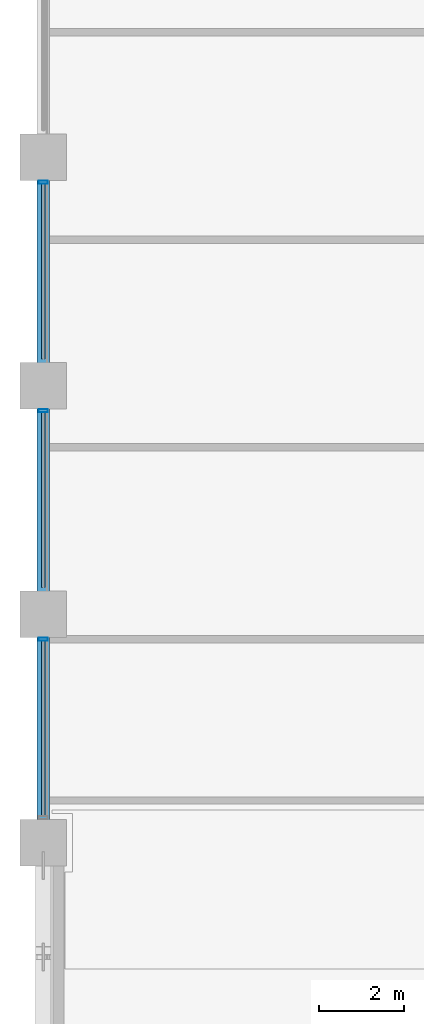
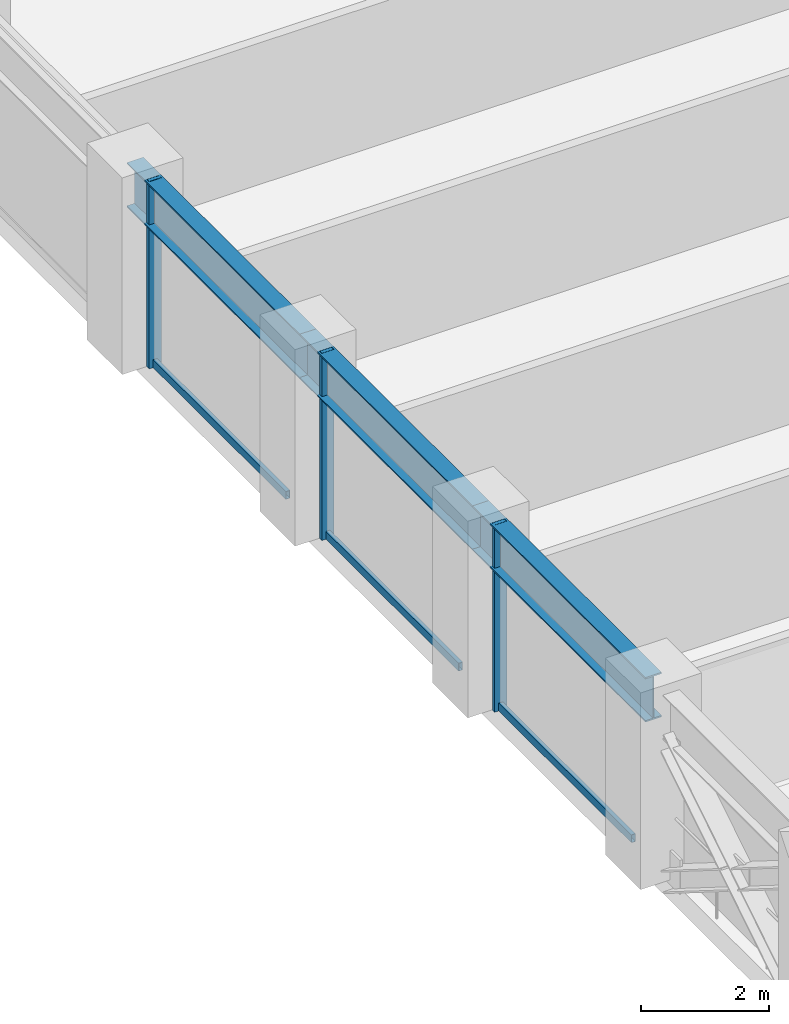
# One storey, part 7 of 30: 6 members, 3 beams, 1 element without a shape of its own.
"""IFC4 building model written with IfcOpenShell, lengths in metres."""

from ifc_helpers import new_model, si_unit, direction, frame, origin, origin_2d, place, context, subcontext, project, spatial, hollow_rectangle, i_section, extrude, material, layer, layer_set, material_profile, profile_set, type_object, element, aggregate, save


model = new_model("IFC4")

# Units and contexts
model_context = context("Model", 3, precision=1e-05, world=origin(), true_north=direction((0.0, 1.0)))
body_context = subcontext(model_context, "Body", "Model", "MODEL_VIEW")
ifc_project = project(units=[si_unit("LENGTHUNIT", "METRE"), si_unit("AREAUNIT", "SQUARE_METRE"), si_unit("VOLUMEUNIT", "CUBIC_METRE"), si_unit("PLANEANGLEUNIT", "RADIAN"), si_unit("MASSUNIT", "GRAM", prefix="KILO")], contexts=[model_context])

# Site, building, storey
site_placement = place(None, origin())
site = spatial("IfcSite", under=ifc_project, at=site_placement, CompositionType="ELEMENT")
building_placement = place(site_placement, origin())
building = spatial("IfcBuilding", under=site, at=building_placement, Name="Surkhivell Harbour Commons", CompositionType="ELEMENT")
storey_placement = place(building_placement, frame((0.0, 0.0, 83.25)))
storey = spatial("IfcBuildingStorey", under=building, at=storey_placement, Name="L21", CompositionType="ELEMENT", Elevation=83.25)

# Beams
ifc_material_1 = material(Name="Steel S460", Category="steel")
ifc_material_profile_1 = material_profile(ifc_material_1, i_section(OverallWidth=0.2939453125, OverallDepth=0.85107421875, WebThickness=0.01611328125, FlangeThickness=0.02685546875, at=origin_2d()), Name="UB838x292x226")
ifc_profile_set_1 = profile_set([ifc_material_profile_1], Name="Steel S460")
beam_type = type_object("IfcBeamType", Name="BM-SPN-838", PredefinedType="SPANDREL", material=ifc_profile_set_1)
beam_placement = place(storey_placement, frame((-32.39990234375, -10.800048828125, 3.14453125), z_axis=(0.0, 1.0, 0.0), x_axis=(-1.0, 0.0, 0.0)))
element("IfcBeam", 1, at=beam_placement, inside=storey, type_object=beam_type, Name="L21 Tube Spandrel (-32.4,-10.8)", PredefinedType="SPANDREL", context=body_context, shape_type="SweptSolid", body=[
    extrude(i_section(OverallWidth=0.2939453125, OverallDepth=0.85107421875, WebThickness=0.01611328125, FlangeThickness=0.02685546875, at=origin_2d()), origin(), (0.0, 0.0, 1.0), 5.400146484375),
])
for number, where, z_axis, x_axis, name in (
    (2, (-32.39990234375, -5.39990234375, 3.14453125), (0.0, 1.0, 0.0), (-1.0, 0.0, 0.0), "L21 Tube Spandrel (-32.4,-5.4)"),
    (3, (-32.39990234375, 0.0, 3.14453125), (0.0, 1.0, 0.0), (-1.0, 0.0, 0.0), "L21 Tube Spandrel (-32.4,0.0)"),
):
    element("IfcBeam", number, at=place(storey_placement, frame(where, z_axis=z_axis, x_axis=x_axis)), inside=storey, type_object=beam_type, Name=name, PredefinedType="SPANDREL", context=body_context, shape_type="SweptSolid", body=[
        extrude(i_section(OverallWidth=0.2939453125, OverallDepth=0.85107421875, WebThickness=0.01611328125, FlangeThickness=0.02685546875, at=origin_2d()), origin(), (0.0, 0.0, 1.0), 5.39990234375),
    ])

# Curtain wall, members
ifc_material_2 = material(Name="Anodised pale-metal aluminium and insulated glazing", Category="aluminium")
ifc_layer = layer(ifc_material_2, 0.205078125)
ifc_layer_set = layer_set([ifc_layer], Name="Anodised pale-metal aluminium and insulated glazing")
curtain_wall_type = type_object("IfcCurtainWallType", Name="CW-SYS-Z2", PredefinedType="NOTDEFINED", material=ifc_layer_set)
curtain_wall_placement = place(storey_placement, origin())
curtain_wall = element("IfcCurtainWall", 4, at=curtain_wall_placement, inside=storey, type_object=curtain_wall_type, Name="L21 Curtain Wall CW-L21-E12S1", PredefinedType="NOTDEFINED")
ifc_material_3 = material(Name="Anodised pale-metal aluminium alloy 6063-T6", Category="aluminium")
ifc_material_profile_2 = material_profile(ifc_material_3, hollow_rectangle(XDim=0.074951171875, YDim=0.219970703125, WallThickness=0.00390625, at=origin_2d()), Name="ALU-MULL-75x220")
ifc_profile_set_2 = profile_set([ifc_material_profile_2], Name="Anodised pale-metal aluminium alloy 6063-T6")
member_type_1 = type_object("IfcMemberType", Name="CWM-220", PredefinedType="MULLION", material=ifc_profile_set_2)
member_1_placement = place(storey_placement, frame((-32.39990234375, 4.810546875, 0.0), z_axis=(0.0, 0.0, 1.0), x_axis=(0.0, -1.0, 0.0)))
member_1 = element("IfcMember", 5, at=member_1_placement, type_object=member_type_1, Name="CW-Z2 mullion 4", PredefinedType="MULLION", context=body_context, shape_type="SweptSolid", body=[
    extrude(hollow_rectangle(XDim=0.074951171875, YDim=0.219970703125, WallThickness=0.00390625, at=origin_2d()), origin(), (0.0, 0.0, 1.0), 3.570068359375),
])
member_2_placement = place(storey_placement, frame((-32.39990234375, -0.589599609375, 0.0), z_axis=(0.0, 0.0, 1.0), x_axis=(0.0, -1.0, 0.0)))
member_2 = element("IfcMember", 6, at=member_2_placement, type_object=member_type_1, Name="CW-Z2 mullion 5", PredefinedType="MULLION", context=body_context, shape_type="SweptSolid", body=[
    extrude(hollow_rectangle(XDim=0.074951171875, YDim=0.219970703125, WallThickness=0.00390625, at=origin_2d()), origin(), (0.0, 0.0, 1.0), 3.570068359375),
])
member_3_placement = place(storey_placement, frame((-32.39990234375, -5.989501953125, 0.0), z_axis=(0.0, 0.0, 1.0), x_axis=(0.0, -1.0, 0.0)))
member_3 = element("IfcMember", 7, at=member_3_placement, type_object=member_type_1, Name="CW-Z2 mullion 6", PredefinedType="MULLION", context=body_context, shape_type="SweptSolid", body=[
    extrude(hollow_rectangle(XDim=0.074951171875, YDim=0.219970703125, WallThickness=0.00390625, at=origin_2d()), origin(), (0.0, 0.0, 1.0), 3.570068359375),
])
ifc_material_profile_3 = material_profile(ifc_material_3, hollow_rectangle(XDim=0.074951171875, YDim=0.14990234375, WallThickness=0.00341796875, at=origin_2d()), Name="ALU-TRAN-75x150")
ifc_profile_set_3 = profile_set([ifc_material_profile_3], Name="Anodised pale-metal aluminium alloy 6063-T6")
member_type_2 = type_object("IfcMemberType", Name="CWT-150", PredefinedType="USERDEFINED", material=ifc_profile_set_3)
member_4_placement = place(storey_placement, frame((-32.39990234375, 4.77294921875, 0.074951171875), z_axis=(0.0, -1.0, 0.0), x_axis=(1.0, 0.0, 0.0)))
member_4 = element("IfcMember", 8, at=member_4_placement, type_object=member_type_2, Name="CW-Z2 transom 4.1", ObjectType="TRANSOM", PredefinedType="USERDEFINED", context=body_context, shape_type="SweptSolid", body=[
    extrude(hollow_rectangle(XDim=0.074951171875, YDim=0.14990234375, WallThickness=0.00341796875, at=origin_2d()), origin(), (0.0, 0.0, 1.0), 4.14599609375),
])
member_5_placement = place(storey_placement, frame((-32.39990234375, -0.626953125, 0.074951171875), z_axis=(0.0, -1.0, 0.0), x_axis=(1.0, 0.0, 0.0)))
member_5 = element("IfcMember", 9, at=member_5_placement, type_object=member_type_2, Name="CW-Z2 transom 5.1", ObjectType="TRANSOM", PredefinedType="USERDEFINED", context=body_context, shape_type="SweptSolid", body=[
    extrude(hollow_rectangle(XDim=0.074951171875, YDim=0.14990234375, WallThickness=0.00341796875, at=origin_2d()), origin(), (0.0, 0.0, 1.0), 4.14599609375),
])
member_6_placement = place(storey_placement, frame((-32.39990234375, -6.027099609375, 0.074951171875), z_axis=(0.0, -1.0, 0.0), x_axis=(1.0, 0.0, 0.0)))
member_6 = element("IfcMember", 10, at=member_6_placement, type_object=member_type_2, Name="CW-Z2 transom 6.1", ObjectType="TRANSOM", PredefinedType="USERDEFINED", context=body_context, shape_type="SweptSolid", body=[
    extrude(hollow_rectangle(XDim=0.074951171875, YDim=0.14990234375, WallThickness=0.00341796875, at=origin_2d()), origin(), (0.0, 0.0, 1.0), 4.14599609375),
])
aggregate(curtain_wall, [member_1, member_4, member_2, member_5, member_3, member_6])

save(model, "model.ifc")
